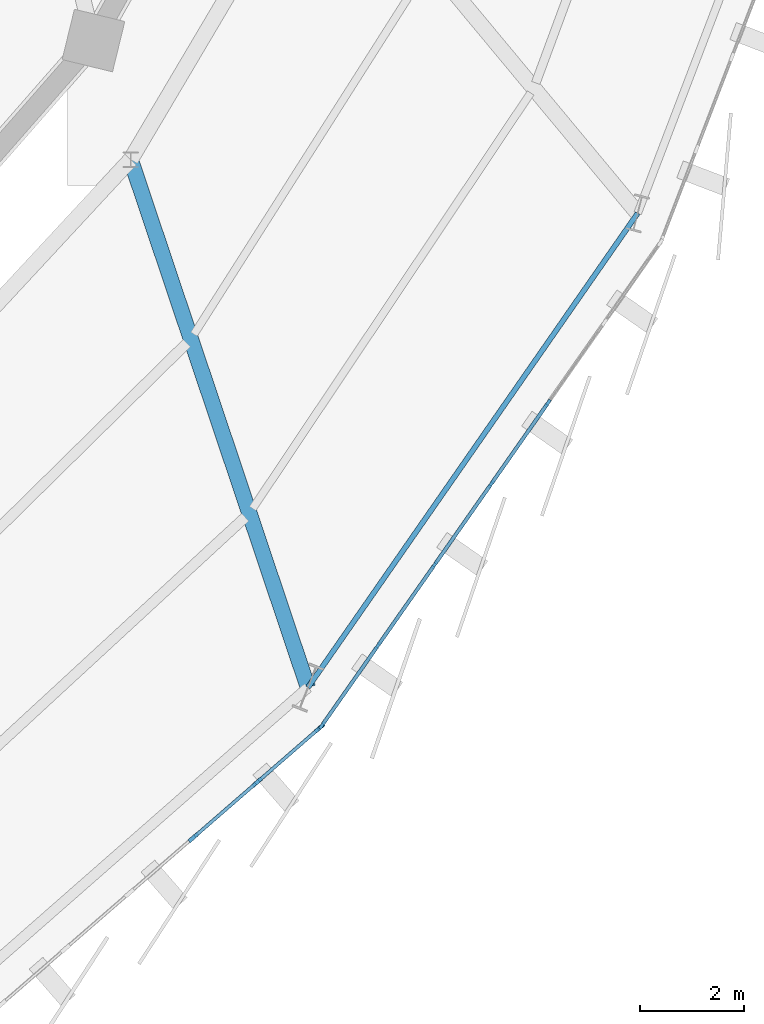
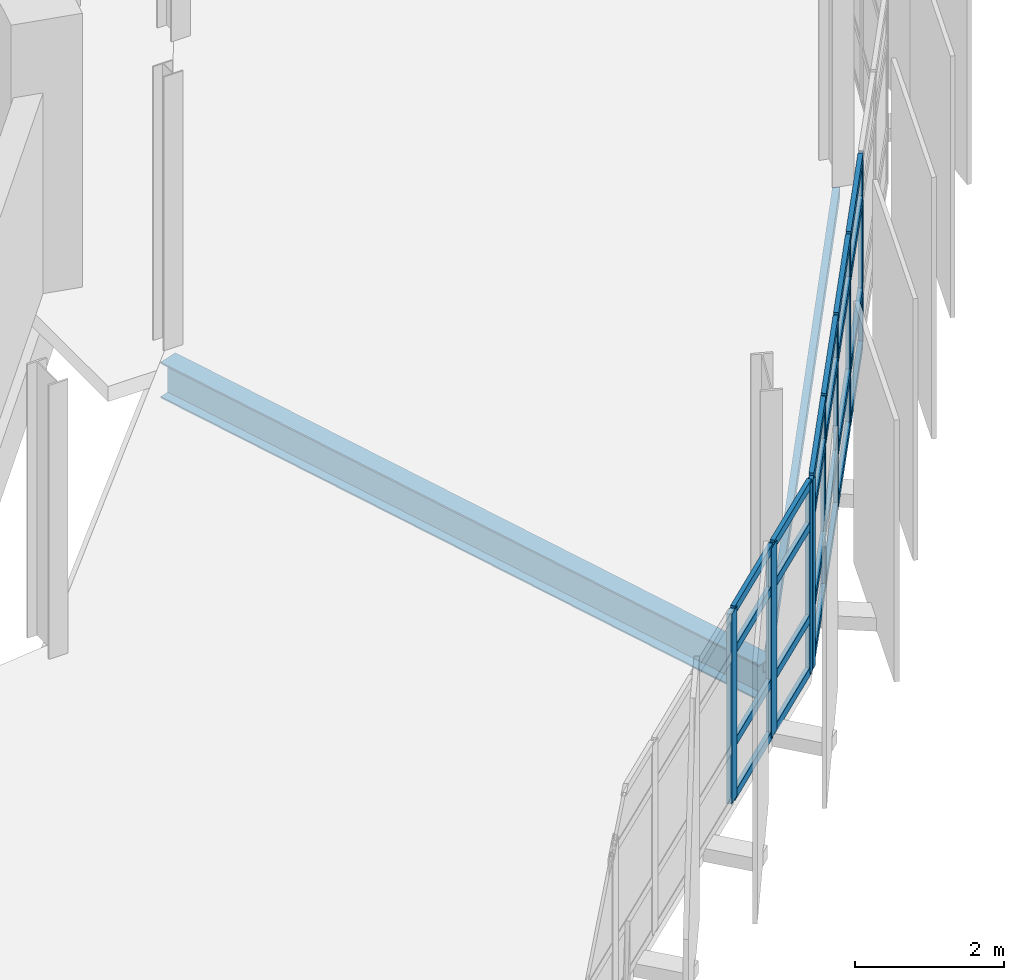
# One storey, part 61 of 120: 32 members, 2 beams, 2 elements without a shape of their own.
"""IFC4 building model written with IfcOpenShell, lengths in metres."""

from ifc_helpers import new_model, si_unit, direction, frame, origin, origin_2d, place, context, subcontext, project, spatial, rectangle, hollow_rectangle, i_section, extrude, material, layer, layer_set, material_profile, profile_set, type_object, element, aggregate, save


model = new_model("IFC4")

# Units and contexts
model_context = context("Model", 3, precision=1e-05, world=origin(), true_north=direction((0.0, 1.0)))
body_context = subcontext(model_context, "Body", "Model", "MODEL_VIEW")
ifc_project = project(units=[si_unit("LENGTHUNIT", "METRE"), si_unit("AREAUNIT", "SQUARE_METRE"), si_unit("VOLUMEUNIT", "CUBIC_METRE"), si_unit("PLANEANGLEUNIT", "RADIAN"), si_unit("MASSUNIT", "GRAM", prefix="KILO")], contexts=[model_context])

# Site, building, storey
site_placement = place(None, origin())
site = spatial("IfcSite", under=ifc_project, at=site_placement, CompositionType="ELEMENT")
building_placement = place(site_placement, origin())
building = spatial("IfcBuilding", under=site, at=building_placement, Name="Sohan Crest Arena", CompositionType="ELEMENT")
storey_placement = place(building_placement, frame((0.0, 0.0, 13.5)))
storey = spatial("IfcBuildingStorey", under=building, at=storey_placement, Name="L03", CompositionType="ELEMENT", Elevation=13.5)

# Curtain wall, members
ifc_material_1 = material(Name="Thermally broken anodised aluminium", Category="aluminium")
ifc_layer_1 = layer(ifc_material_1, 0.219970703125, Name="Thermally broken anodised aluminium")
ifc_layer_set_1 = layer_set([ifc_layer_1], Name="Thermally broken anodised aluminium")
curtain_wall_type_1 = type_object("IfcCurtainWallType", Name="ARC-CW03", PredefinedType="NOTDEFINED", material=ifc_layer_set_1)
curtain_wall_1_placement = place(storey_placement, origin())
curtain_wall_1 = element("IfcCurtainWall", 1, at=curtain_wall_1_placement, inside=storey, type_object=curtain_wall_type_1, Name="Unitised curtain wall CW-098", PredefinedType="NOTDEFINED")
ifc_material_profile_1 = material_profile(ifc_material_1, rectangle(XDim=0.06005859375, YDim=0.159912109375, at=origin_2d()), Name="ALU-MULL 60x160")
ifc_profile_set_1 = profile_set([ifc_material_profile_1], Name="Thermally broken anodised aluminium")
member_type_1 = type_object("IfcMemberType", Name="ARC-CW-ML01", PredefinedType="MULLION", material=ifc_profile_set_1)
member_1_placement = place(storey_placement, frame((176.6552734375, 46.62451171875, 0.0), z_axis=(0.0, 0.0, 1.0), x_axis=(-0.818899102687, 0.573937504976, 0.0)))
member_1 = element("IfcMember", 2, at=member_1_placement, type_object=member_type_1, Name="CW-098 mullion 1", PredefinedType="MULLION", context=body_context, shape_type="SweptSolid", body=[
    extrude(rectangle(XDim=0.06005859375, YDim=0.159912109375, at=origin_2d()), origin(), (0.0, 0.0, 1.0), 3.1201171875),
])
member_2_placement = place(storey_placement, frame((177.732177734375, 48.1611328125, 0.0), z_axis=(0.0, 0.0, 1.0), x_axis=(-0.818899102687, 0.573937504976, 0.0)))
member_2 = element("IfcMember", 3, at=member_2_placement, type_object=member_type_1, Name="CW-098 mullion 2", PredefinedType="MULLION", context=body_context, shape_type="SweptSolid", body=[
    extrude(rectangle(XDim=0.06005859375, YDim=0.159912109375, at=origin_2d()), origin(), (0.0, 0.0, 1.0), 3.1201171875),
])
member_3_placement = place(storey_placement, frame((178.826416015625, 49.722412109375, 0.0), z_axis=(0.0, 0.0, 1.0), x_axis=(-0.818899102687, 0.573937504976, 0.0)))
member_3 = element("IfcMember", 4, at=member_3_placement, type_object=member_type_1, Name="CW-098 mullion 3", PredefinedType="MULLION", context=body_context, shape_type="SweptSolid", body=[
    extrude(rectangle(XDim=0.06005859375, YDim=0.159912109375, at=origin_2d()), origin(), (0.0, 0.0, 1.0), 3.1201171875),
])
member_4_placement = place(storey_placement, frame((179.92041015625, 51.283447265625, 0.0), z_axis=(0.0, 0.0, 1.0), x_axis=(-0.818899102687, 0.573937504976, 0.0)))
member_4 = element("IfcMember", 5, at=member_4_placement, type_object=member_type_1, Name="CW-098 mullion 4", PredefinedType="MULLION", context=body_context, shape_type="SweptSolid", body=[
    extrude(rectangle(XDim=0.06005859375, YDim=0.159912109375, at=origin_2d()), origin(), (0.0, 0.0, 1.0), 3.1201171875),
])
member_5_placement = place(storey_placement, frame((181.0146484375, 52.8447265625, 0.0), z_axis=(0.0, 0.0, 1.0), x_axis=(-0.818899102687, 0.573937504976, 0.0)))
member_5 = element("IfcMember", 6, at=member_5_placement, type_object=member_type_1, Name="CW-098 mullion 5", PredefinedType="MULLION", context=body_context, shape_type="SweptSolid", body=[
    extrude(rectangle(XDim=0.06005859375, YDim=0.159912109375, at=origin_2d()), origin(), (0.0, 0.0, 1.0), 3.1201171875),
])

ifc_layer_2 = layer(ifc_material_1, 0.199951171875, Name="Thermally broken anodised aluminium")
ifc_layer_set_2 = layer_set([ifc_layer_2], Name="Thermally broken anodised aluminium")
curtain_wall_type_2 = type_object("IfcCurtainWallType", Name="ARC-CW02", PredefinedType="NOTDEFINED", material=ifc_layer_set_2)
curtain_wall_2_placement = place(storey_placement, origin())
curtain_wall_2 = element("IfcCurtainWall", 7, at=curtain_wall_2_placement, inside=storey, type_object=curtain_wall_type_2, Name="Unitised curtain wall CW-097", PredefinedType="NOTDEFINED")
ifc_material_profile_2 = material_profile(ifc_material_1, rectangle(XDim=0.074951171875, YDim=0.219970703125, at=origin_2d()), Name="ALU-MULL 75x220")
ifc_profile_set_2 = profile_set([ifc_material_profile_2], Name="Thermally broken anodised aluminium")
member_type_2 = type_object("IfcMemberType", Name="ARC-CW-ML04", PredefinedType="MULLION", material=ifc_profile_set_2)
member_6_placement = place(storey_placement, frame((174.169921875, 44.45703125, 0.0), z_axis=(0.0, 0.0, 1.0), x_axis=(-0.655615836736, 0.755094613026, 0.0)))
member_6 = element("IfcMember", 8, at=member_6_placement, type_object=member_type_2, Name="CW-097 mullion 6", PredefinedType="MULLION", context=body_context, shape_type="SweptSolid", body=[
    extrude(rectangle(XDim=0.074951171875, YDim=0.219970703125, at=origin_2d()), origin(), (0.0, 0.0, 1.0), 3.1201171875),
])
member_7_placement = place(storey_placement, frame((175.404052734375, 45.528564453125, 0.0), z_axis=(0.0, 0.0, 1.0), x_axis=(-0.655615836736, 0.755094613026, 0.0)))
member_7 = element("IfcMember", 9, at=member_7_placement, type_object=member_type_2, Name="CW-097 mullion 7", PredefinedType="MULLION", context=body_context, shape_type="SweptSolid", body=[
    extrude(rectangle(XDim=0.074951171875, YDim=0.219970703125, at=origin_2d()), origin(), (0.0, 0.0, 1.0), 3.1201171875),
])
member_8_placement = place(storey_placement, frame((176.609619140625, 46.575439453125, 0.0), z_axis=(0.0, 0.0, 1.0), x_axis=(-0.655615836736, 0.755094613026, 0.0)))
member_8 = element("IfcMember", 10, at=member_8_placement, type_object=member_type_2, Name="CW-097 mullion 8", PredefinedType="MULLION", context=body_context, shape_type="SweptSolid", body=[
    extrude(rectangle(XDim=0.074951171875, YDim=0.219970703125, at=origin_2d()), origin(), (0.0, 0.0, 1.0), 3.1201171875),
])
ifc_material_profile_3 = material_profile(ifc_material_1, rectangle(XDim=0.06494140625, YDim=0.139892578125, at=origin_2d()), Name="ALU-TRAN 65x140")
ifc_profile_set_3 = profile_set([ifc_material_profile_3], Name="Thermally broken anodised aluminium")
member_type_3 = type_object("IfcMemberType", Name="ARC-CW-TR02", PredefinedType="USERDEFINED", material=ifc_profile_set_3)
member_9_placement = place(storey_placement, frame((174.1982421875, 44.481689453125, 0.032470703125), z_axis=(0.755141218047, 0.655562156326, 0.0), x_axis=(-0.655562156326, 0.755141218047, 0.0)))
member_9 = element("IfcMember", 11, at=member_9_placement, type_object=member_type_3, Name="CW-097 transom 6.1", ObjectType="TRANSOM", PredefinedType="USERDEFINED", context=body_context, shape_type="SweptSolid", body=[
    extrude(rectangle(XDim=0.06494140625, YDim=0.139892578125, at=origin_2d()), origin(), (0.0, 0.0, 1.0), 1.559326171875),
])
member_10_placement = place(storey_placement, frame((174.1982421875, 44.481689453125, 0.89990234375), z_axis=(0.755141218047, 0.655562156326, 0.0), x_axis=(-0.655562156326, 0.755141218047, 0.0)))
member_10 = element("IfcMember", 12, at=member_10_placement, type_object=member_type_3, Name="CW-097 transom 6.2", ObjectType="TRANSOM", PredefinedType="USERDEFINED", context=body_context, shape_type="SweptSolid", body=[
    extrude(rectangle(XDim=0.06494140625, YDim=0.139892578125, at=origin_2d()), origin(), (0.0, 0.0, 1.0), 1.559326171875),
])
member_11_placement = place(storey_placement, frame((174.1982421875, 44.481689453125, 2.419921875), z_axis=(0.755141218047, 0.655562156326, 0.0), x_axis=(-0.655562156326, 0.755141218047, 0.0)))
member_11 = element("IfcMember", 13, at=member_11_placement, type_object=member_type_3, Name="CW-097 transom 6.3", ObjectType="TRANSOM", PredefinedType="USERDEFINED", context=body_context, shape_type="SweptSolid", body=[
    extrude(rectangle(XDim=0.06494140625, YDim=0.139892578125, at=origin_2d()), origin(), (0.0, 0.0, 1.0), 1.559326171875),
])
member_12_placement = place(storey_placement, frame((174.1982421875, 44.481689453125, 3.08740234375), z_axis=(0.755141218047, 0.655562156326, 0.0), x_axis=(-0.655562156326, 0.755141218047, 0.0)))
member_12 = element("IfcMember", 14, at=member_12_placement, type_object=member_type_3, Name="CW-097 transom 6.4", ObjectType="TRANSOM", PredefinedType="USERDEFINED", context=body_context, shape_type="SweptSolid", body=[
    extrude(rectangle(XDim=0.06494140625, YDim=0.139892578125, at=origin_2d()), origin(), (0.0, 0.0, 1.0), 1.559326171875),
])
member_13_placement = place(storey_placement, frame((175.432373046875, 45.55322265625, 0.032470703125), z_axis=(0.755095826867, 0.655614438712, 0.0), x_axis=(-0.655614438712, 0.755095826867, 0.0)))
member_13 = element("IfcMember", 15, at=member_13_placement, type_object=member_type_3, Name="CW-097 transom 7.1", ObjectType="TRANSOM", PredefinedType="USERDEFINED", context=body_context, shape_type="SweptSolid", body=[
    extrude(rectangle(XDim=0.06494140625, YDim=0.139892578125, at=origin_2d()), origin(), (0.0, 0.0, 1.0), 1.521484375),
])
member_14_placement = place(storey_placement, frame((175.432373046875, 45.55322265625, 0.89990234375), z_axis=(0.755095826867, 0.655614438712, 0.0), x_axis=(-0.655614438712, 0.755095826867, 0.0)))
member_14 = element("IfcMember", 16, at=member_14_placement, type_object=member_type_3, Name="CW-097 transom 7.2", ObjectType="TRANSOM", PredefinedType="USERDEFINED", context=body_context, shape_type="SweptSolid", body=[
    extrude(rectangle(XDim=0.06494140625, YDim=0.139892578125, at=origin_2d()), origin(), (0.0, 0.0, 1.0), 1.521484375),
])
member_15_placement = place(storey_placement, frame((175.432373046875, 45.55322265625, 2.419921875), z_axis=(0.755095826867, 0.655614438712, 0.0), x_axis=(-0.655614438712, 0.755095826867, 0.0)))
member_15 = element("IfcMember", 17, at=member_15_placement, type_object=member_type_3, Name="CW-097 transom 7.3", ObjectType="TRANSOM", PredefinedType="USERDEFINED", context=body_context, shape_type="SweptSolid", body=[
    extrude(rectangle(XDim=0.06494140625, YDim=0.139892578125, at=origin_2d()), origin(), (0.0, 0.0, 1.0), 1.521484375),
])
member_16_placement = place(storey_placement, frame((175.432373046875, 45.55322265625, 3.08740234375), z_axis=(0.755095826867, 0.655614438712, 0.0), x_axis=(-0.655614438712, 0.755095826867, 0.0)))
member_16 = element("IfcMember", 18, at=member_16_placement, type_object=member_type_3, Name="CW-097 transom 7.4", ObjectType="TRANSOM", PredefinedType="USERDEFINED", context=body_context, shape_type="SweptSolid", body=[
    extrude(rectangle(XDim=0.06494140625, YDim=0.139892578125, at=origin_2d()), origin(), (0.0, 0.0, 1.0), 1.521484375),
])
aggregate(curtain_wall_2, [member_6, member_7, member_8, member_9, member_10, member_11, member_12, member_13, member_14, member_15, member_16])

# Member
ifc_material_profile_4 = material_profile(ifc_material_1, rectangle(XDim=0.070068359375, YDim=0.14990234375, at=origin_2d()), Name="ALU-TRAN 70x150")
ifc_profile_set_4 = profile_set([ifc_material_profile_4], Name="Thermally broken anodised aluminium")
member_type_4 = type_object("IfcMemberType", Name="ARC-CW-TR03", PredefinedType="USERDEFINED", material=ifc_profile_set_4)
member_17_placement = place(storey_placement, frame((176.67236328125, 46.649169921875, 0.034912109375), z_axis=(0.573904259998, 0.818922401913, 0.0), x_axis=(-0.818922401913, 0.573904259998, 0.0)))
member_17 = element("IfcMember", 19, at=member_17_placement, type_object=member_type_4, Name="CW-098 transom 1.1", ObjectType="TRANSOM", PredefinedType="USERDEFINED", context=body_context, shape_type="SweptSolid", body=[
    extrude(rectangle(XDim=0.070068359375, YDim=0.14990234375, at=origin_2d()), origin(), (0.0, 0.0, 1.0), 1.81640625),
])

member_18_placement = place(storey_placement, frame((176.67236328125, 46.649169921875, 0.89990234375), z_axis=(0.573904259998, 0.818922401913, 0.0), x_axis=(-0.818922401913, 0.573904259998, 0.0)))
member_18 = element("IfcMember", 20, at=member_18_placement, type_object=member_type_4, Name="CW-098 transom 1.2", ObjectType="TRANSOM", PredefinedType="USERDEFINED", context=body_context, shape_type="SweptSolid", body=[
    extrude(rectangle(XDim=0.070068359375, YDim=0.14990234375, at=origin_2d()), origin(), (0.0, 0.0, 1.0), 1.81640625),
])

member_19_placement = place(storey_placement, frame((176.67236328125, 46.649169921875, 2.419921875), z_axis=(0.573904259998, 0.818922401913, 0.0), x_axis=(-0.818922401913, 0.573904259998, 0.0)))
member_19 = element("IfcMember", 21, at=member_19_placement, type_object=member_type_4, Name="CW-098 transom 1.3", ObjectType="TRANSOM", PredefinedType="USERDEFINED", context=body_context, shape_type="SweptSolid", body=[
    extrude(rectangle(XDim=0.070068359375, YDim=0.14990234375, at=origin_2d()), origin(), (0.0, 0.0, 1.0), 1.81640625),
])

member_20_placement = place(storey_placement, frame((176.67236328125, 46.649169921875, 3.0849609375), z_axis=(0.573904259998, 0.818922401913, 0.0), x_axis=(-0.818922401913, 0.573904259998, 0.0)))
member_20 = element("IfcMember", 22, at=member_20_placement, type_object=member_type_4, Name="CW-098 transom 1.4", ObjectType="TRANSOM", PredefinedType="USERDEFINED", context=body_context, shape_type="SweptSolid", body=[
    extrude(rectangle(XDim=0.070068359375, YDim=0.14990234375, at=origin_2d()), origin(), (0.0, 0.0, 1.0), 1.81640625),
])

member_21_placement = place(storey_placement, frame((177.749267578125, 48.185791015625, 0.034912109375), z_axis=(0.573985800083, 0.818865252226, 0.0), x_axis=(-0.818865252226, 0.573985800083, 0.0)))
member_21 = element("IfcMember", 23, at=member_21_placement, type_object=member_type_4, Name="CW-098 transom 2.1", ObjectType="TRANSOM", PredefinedType="USERDEFINED", context=body_context, shape_type="SweptSolid", body=[
    extrude(rectangle(XDim=0.070068359375, YDim=0.14990234375, at=origin_2d()), origin(), (0.0, 0.0, 1.0), 1.846435546875),
])

member_22_placement = place(storey_placement, frame((177.749267578125, 48.185791015625, 0.89990234375), z_axis=(0.573985800083, 0.818865252226, 0.0), x_axis=(-0.818865252226, 0.573985800083, 0.0)))
member_22 = element("IfcMember", 24, at=member_22_placement, type_object=member_type_4, Name="CW-098 transom 2.2", ObjectType="TRANSOM", PredefinedType="USERDEFINED", context=body_context, shape_type="SweptSolid", body=[
    extrude(rectangle(XDim=0.070068359375, YDim=0.14990234375, at=origin_2d()), origin(), (0.0, 0.0, 1.0), 1.846435546875),
])

member_23_placement = place(storey_placement, frame((177.749267578125, 48.185791015625, 2.419921875), z_axis=(0.573985800083, 0.818865252226, 0.0), x_axis=(-0.818865252226, 0.573985800083, 0.0)))
member_23 = element("IfcMember", 25, at=member_23_placement, type_object=member_type_4, Name="CW-098 transom 2.3", ObjectType="TRANSOM", PredefinedType="USERDEFINED", context=body_context, shape_type="SweptSolid", body=[
    extrude(rectangle(XDim=0.070068359375, YDim=0.14990234375, at=origin_2d()), origin(), (0.0, 0.0, 1.0), 1.846435546875),
])

member_24_placement = place(storey_placement, frame((177.749267578125, 48.185791015625, 3.0849609375), z_axis=(0.573985800083, 0.818865252226, 0.0), x_axis=(-0.818865252226, 0.573985800083, 0.0)))
member_24 = element("IfcMember", 26, at=member_24_placement, type_object=member_type_4, Name="CW-098 transom 2.4", ObjectType="TRANSOM", PredefinedType="USERDEFINED", context=body_context, shape_type="SweptSolid", body=[
    extrude(rectangle(XDim=0.070068359375, YDim=0.14990234375, at=origin_2d()), origin(), (0.0, 0.0, 1.0), 1.846435546875),
])

member_25_placement = place(storey_placement, frame((178.843505859375, 49.746826171875, 0.034912109375), z_axis=(0.573923657474, 0.818908807739, 0.0), x_axis=(-0.818908807739, 0.573923657474, 0.0)))
member_25 = element("IfcMember", 27, at=member_25_placement, type_object=member_type_4, Name="CW-098 transom 3.1", ObjectType="TRANSOM", PredefinedType="USERDEFINED", context=body_context, shape_type="SweptSolid", body=[
    extrude(rectangle(XDim=0.070068359375, YDim=0.14990234375, at=origin_2d()), origin(), (0.0, 0.0, 1.0), 1.8466796875),
])

member_26_placement = place(storey_placement, frame((178.843505859375, 49.746826171875, 0.89990234375), z_axis=(0.573923657474, 0.818908807739, 0.0), x_axis=(-0.818908807739, 0.573923657474, 0.0)))
member_26 = element("IfcMember", 28, at=member_26_placement, type_object=member_type_4, Name="CW-098 transom 3.2", ObjectType="TRANSOM", PredefinedType="USERDEFINED", context=body_context, shape_type="SweptSolid", body=[
    extrude(rectangle(XDim=0.070068359375, YDim=0.14990234375, at=origin_2d()), origin(), (0.0, 0.0, 1.0), 1.8466796875),
])

member_27_placement = place(storey_placement, frame((178.843505859375, 49.746826171875, 2.419921875), z_axis=(0.573923657474, 0.818908807739, 0.0), x_axis=(-0.818908807739, 0.573923657474, 0.0)))
member_27 = element("IfcMember", 29, at=member_27_placement, type_object=member_type_4, Name="CW-098 transom 3.3", ObjectType="TRANSOM", PredefinedType="USERDEFINED", context=body_context, shape_type="SweptSolid", body=[
    extrude(rectangle(XDim=0.070068359375, YDim=0.14990234375, at=origin_2d()), origin(), (0.0, 0.0, 1.0), 1.8466796875),
])

member_28_placement = place(storey_placement, frame((178.843505859375, 49.746826171875, 3.0849609375), z_axis=(0.573923657474, 0.818908807739, 0.0), x_axis=(-0.818908807739, 0.573923657474, 0.0)))
member_28 = element("IfcMember", 30, at=member_28_placement, type_object=member_type_4, Name="CW-098 transom 3.4", ObjectType="TRANSOM", PredefinedType="USERDEFINED", context=body_context, shape_type="SweptSolid", body=[
    extrude(rectangle(XDim=0.070068359375, YDim=0.14990234375, at=origin_2d()), origin(), (0.0, 0.0, 1.0), 1.8466796875),
])

member_29_placement = place(storey_placement, frame((179.937744140625, 51.30810546875, 0.034912109375), z_axis=(0.573985800083, 0.818865252226, 0.0), x_axis=(-0.818865252226, 0.573985800083, 0.0)))
member_29 = element("IfcMember", 31, at=member_29_placement, type_object=member_type_4, Name="CW-098 transom 4.1", ObjectType="TRANSOM", PredefinedType="USERDEFINED", context=body_context, shape_type="SweptSolid", body=[
    extrude(rectangle(XDim=0.070068359375, YDim=0.14990234375, at=origin_2d()), origin(), (0.0, 0.0, 1.0), 1.846435546875),
])

member_30_placement = place(storey_placement, frame((179.937744140625, 51.30810546875, 0.89990234375), z_axis=(0.573985800083, 0.818865252226, 0.0), x_axis=(-0.818865252226, 0.573985800083, 0.0)))
member_30 = element("IfcMember", 32, at=member_30_placement, type_object=member_type_4, Name="CW-098 transom 4.2", ObjectType="TRANSOM", PredefinedType="USERDEFINED", context=body_context, shape_type="SweptSolid", body=[
    extrude(rectangle(XDim=0.070068359375, YDim=0.14990234375, at=origin_2d()), origin(), (0.0, 0.0, 1.0), 1.846435546875),
])

member_31_placement = place(storey_placement, frame((179.937744140625, 51.30810546875, 2.419921875), z_axis=(0.573985800083, 0.818865252226, 0.0), x_axis=(-0.818865252226, 0.573985800083, 0.0)))
member_31 = element("IfcMember", 33, at=member_31_placement, type_object=member_type_4, Name="CW-098 transom 4.3", ObjectType="TRANSOM", PredefinedType="USERDEFINED", context=body_context, shape_type="SweptSolid", body=[
    extrude(rectangle(XDim=0.070068359375, YDim=0.14990234375, at=origin_2d()), origin(), (0.0, 0.0, 1.0), 1.846435546875),
])

member_32_placement = place(storey_placement, frame((179.937744140625, 51.30810546875, 3.0849609375), z_axis=(0.573985800083, 0.818865252226, 0.0), x_axis=(-0.818865252226, 0.573985800083, 0.0)))
member_32 = element("IfcMember", 34, at=member_32_placement, type_object=member_type_4, Name="CW-098 transom 4.4", ObjectType="TRANSOM", PredefinedType="USERDEFINED", context=body_context, shape_type="SweptSolid", body=[
    extrude(rectangle(XDim=0.070068359375, YDim=0.14990234375, at=origin_2d()), origin(), (0.0, 0.0, 1.0), 1.846435546875),
])

aggregate(curtain_wall_1, [member_1, member_2, member_3, member_4, member_5, member_17, member_18, member_19, member_20, member_21, member_22, member_23, member_24, member_25, member_26, member_27, member_28, member_29, member_30, member_31, member_32])

# Beams
ifc_material_2 = material(Name="Steel S355", Category="steel")
ifc_material_profile_5 = material_profile(ifc_material_2, i_section(OverallWidth=0.300048828125, OverallDepth=0.590087890625, WebThickness=0.012939453125, FlangeThickness=0.02490234375, at=origin_2d()), Name="HEA 600")
ifc_profile_set_5 = profile_set([ifc_material_profile_5], Name="Steel S355")
beam_type_1 = type_object("IfcBeamType", Name="STR-BM-B11", PredefinedType="BEAM", material=ifc_profile_set_5)
beam_1_placement = place(storey_placement, frame((172.9609375, 57.547119140625, -0.544921875), z_axis=(0.318297981778, -0.947990714509, 0.0), x_axis=(0.947990714509, 0.318297981778, 0.0)))
element("IfcBeam", 35, at=beam_1_placement, inside=storey, type_object=beam_type_1, Name="Structural beam G-L03-1485", PredefinedType="BEAM", context=body_context, shape_type="SweptSolid", body=[
    extrude(i_section(OverallWidth=0.300048828125, OverallDepth=0.590087890625, WebThickness=0.012939453125, FlangeThickness=0.02490234375, at=origin_2d()), origin(), (0.0, 0.0, 1.0), 10.751220703125),
])
ifc_material_profile_6 = material_profile(ifc_material_2, hollow_rectangle(XDim=0.10009765625, YDim=0.199951171875, WallThickness=0.008056640625, at=origin_2d()), Name="RHS 200x100x8")
ifc_profile_set_6 = profile_set([ifc_material_profile_6], Name="Steel S355")
beam_type_2 = type_object("IfcBeamType", Name="STR-BM-SP01", PredefinedType="SPANDREL", material=ifc_profile_set_6)
beam_2_placement = place(storey_placement, frame((176.383056640625, 47.35498046875, -0.35009765625), z_axis=(0.570857282329, 0.8210493062, 0.0), x_axis=(-0.8210493062, 0.570857282329, 0.0)))
element("IfcBeam", 36, at=beam_2_placement, inside=storey, type_object=beam_type_2, Name="Structural beam SP-L03-1487", PredefinedType="SPANDREL", context=body_context, shape_type="SweptSolid", body=[
    extrude(hollow_rectangle(XDim=0.10009765625, YDim=0.199951171875, WallThickness=0.008056640625, at=origin_2d()), origin(), (0.0, 0.0, 1.0), 11.151611328125),
])

save(model, "model.ifc")
